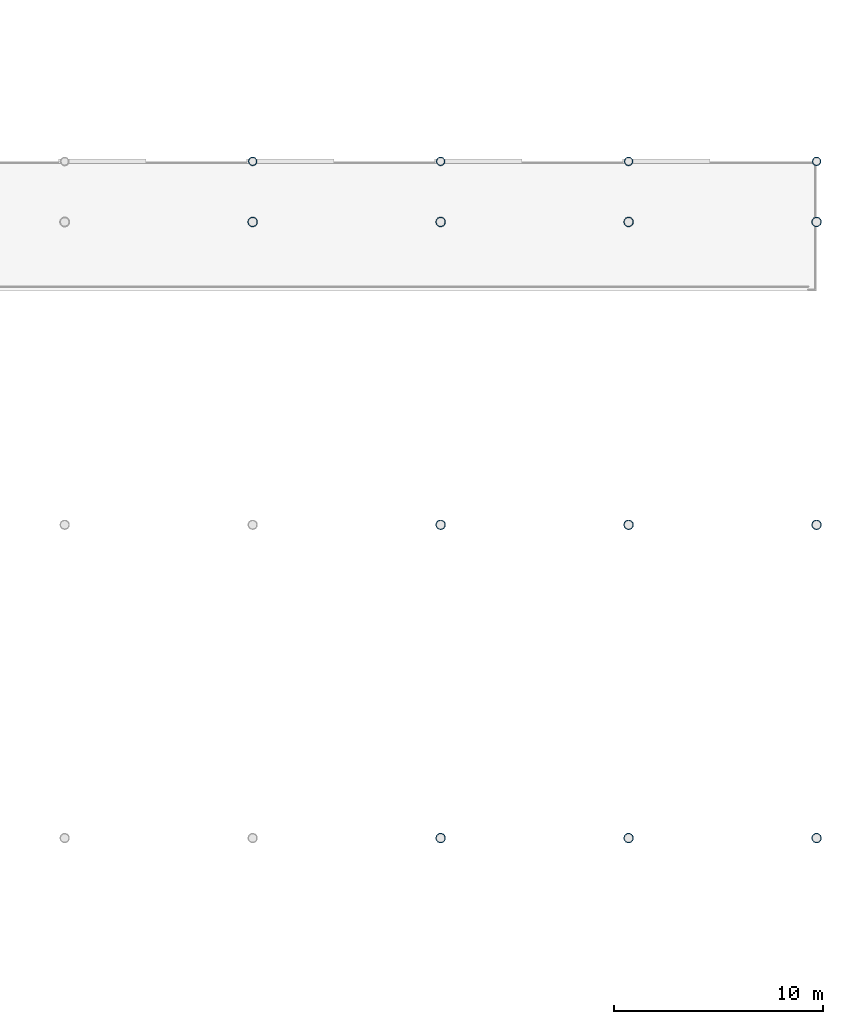
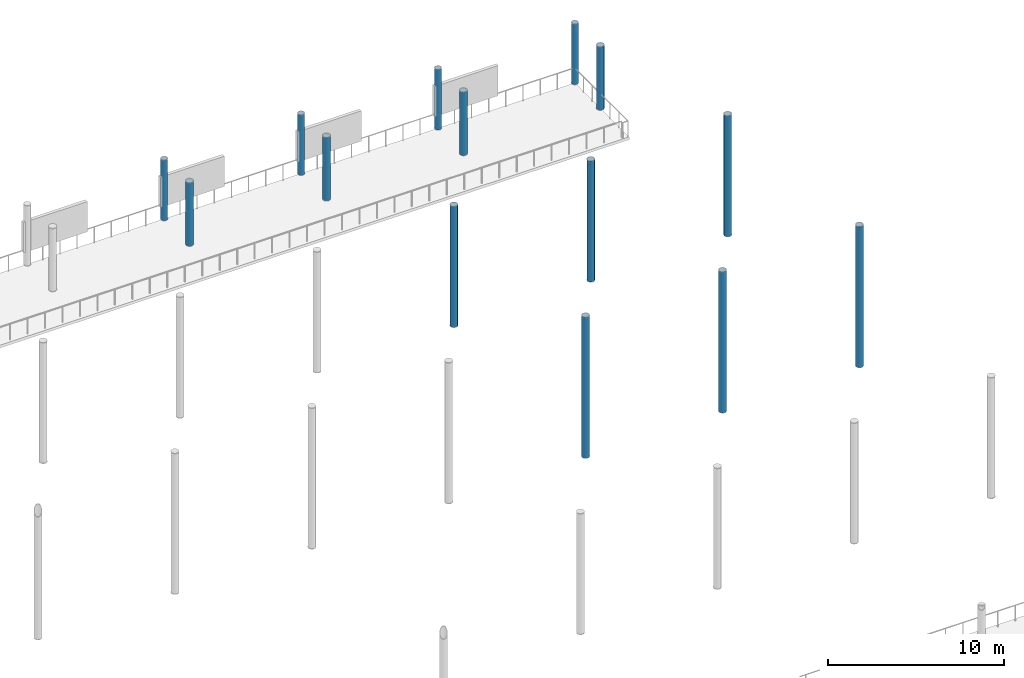
# One storey, part 24 of 143: 14 columns.
"""IFC4 building model written with IfcOpenShell, lengths in metres."""

from ifc_helpers import new_model, si_unit, direction, frame, origin, origin_2d, place, context, subcontext, project, spatial, hollow_circle, extrude, material, material_profile, profile_set, type_object, element, save


model = new_model("IFC4")

# Units and contexts
model_context = context("Model", 3, precision=1e-05, world=origin(), true_north=direction((0.0, 1.0)))
body_context = subcontext(model_context, "Body", "Model", "MODEL_VIEW")
ifc_project = project(units=[si_unit("LENGTHUNIT", "METRE"), si_unit("AREAUNIT", "SQUARE_METRE"), si_unit("VOLUMEUNIT", "CUBIC_METRE"), si_unit("PLANEANGLEUNIT", "RADIAN"), si_unit("MASSUNIT", "GRAM", prefix="KILO")], contexts=[model_context])

# Site, building, storey
site_placement = place(None, origin())
site = spatial("IfcSite", under=ifc_project, at=site_placement, CompositionType="ELEMENT")
building_placement = place(site_placement, origin())
building = spatial("IfcBuilding", under=site, at=building_placement, Name="Marlcrest Central Station", CompositionType="ELEMENT")
storey_placement = place(building_placement, frame((0.0, 0.0, 4.800048828125)))
storey = spatial("IfcBuildingStorey", under=building, at=storey_placement, Name="L01", CompositionType="ELEMENT", Elevation=4.800048828125)

# Columns
ifc_material = material(Name="Steel S355", Category="steel")
ifc_material_profile_1 = material_profile(ifc_material, hollow_circle(Radius=0.203125, WallThickness=0.02001953125, at=origin_2d()), Name="CHS 406.4x20")
ifc_profile_set_1 = profile_set([ifc_material_profile_1], Name="Steel S355")
column_type_1 = type_object("IfcColumnType", Name="SC-10", PredefinedType="COLUMN", material=ifc_profile_set_1)
for number, where, z_axis, x_axis, name in (
    (1, (189.0, 98.39990234375, 0.0), (0.0, 0.0, 1.0), (1.0, 0.0, 0.0), "col-SC-10-L01-0508"),
    (2, (198.0, 98.39990234375, 0.0), (0.0, 0.0, 1.0), (1.0, 0.0, 0.0), "col-SC-10-L01-0509"),
    (3, (207.0, 98.39990234375, 0.0), (0.0, 0.0, 1.0), (1.0, 0.0, 0.0), "col-SC-10-L01-0510"),
    (4, (216.0, 98.39990234375, 0.0), (0.0, 0.0, 1.0), (1.0, 0.0, 0.0), "col-SC-10-L01-0511"),
):
    element("IfcColumn", number, at=place(storey_placement, frame(where, z_axis=z_axis, x_axis=x_axis)), inside=storey, type_object=column_type_1, Name=name, PredefinedType="COLUMN", context=body_context, shape_type="SweptSolid", body=[
        extrude(hollow_circle(Radius=0.203125, WallThickness=0.02001953125, at=origin_2d()), origin(), (0.0, 0.0, 1.0), 4.199951171875),
    ])
ifc_material_profile_2 = material_profile(ifc_material, hollow_circle(Radius=0.228515625, WallThickness=0.02001953125, at=origin_2d()), Name="CHS 457x20")
ifc_profile_set_2 = profile_set([ifc_material_profile_2], Name="Steel S355")
column_type_2 = type_object("IfcColumnType", Name="SC-11", PredefinedType="COLUMN", material=ifc_profile_set_2)
column_1_placement = place(storey_placement, frame((189.0, 95.5, 0.0), z_axis=(0.0, 0.0, 1.0), x_axis=(1.0, 0.0, 0.0)))
element("IfcColumn", 5, at=column_1_placement, inside=storey, type_object=column_type_2, Name="col-SC-11-L01-0576", PredefinedType="COLUMN", context=body_context, shape_type="SweptSolid", body=[
    extrude(hollow_circle(Radius=0.228515625, WallThickness=0.02001953125, at=origin_2d()), origin(), (0.0, 0.0, 1.0), 4.39990234375),
])
column_2_placement = place(storey_placement, frame((198.0, 66.0, 0.0), z_axis=(0.0, 0.0, 1.0), x_axis=(1.0, 0.0, 0.0)))
element("IfcColumn", 6, at=column_2_placement, inside=storey, type_object=column_type_2, Name="col-SC-11-L01-0583", PredefinedType="COLUMN", context=body_context, shape_type="SweptSolid", body=[
    extrude(hollow_circle(Radius=0.228515625, WallThickness=0.02001953125, at=origin_2d()), origin(), (0.0, 0.0, 1.0), 9.800048828125),
])
column_3_placement = place(storey_placement, frame((198.0, 81.0, 0.0), z_axis=(0.0, 0.0, 1.0), x_axis=(1.0, 0.0, 0.0)))
element("IfcColumn", 7, at=column_3_placement, inside=storey, type_object=column_type_2, Name="col-SC-11-L01-0585", PredefinedType="COLUMN", context=body_context, shape_type="SweptSolid", body=[
    extrude(hollow_circle(Radius=0.228515625, WallThickness=0.02001953125, at=origin_2d()), origin(), (0.0, 0.0, 1.0), 8.40380859375),
])
column_4_placement = place(storey_placement, frame((198.0, 95.5, 0.0), z_axis=(0.0, 0.0, 1.0), x_axis=(1.0, 0.0, 0.0)))
element("IfcColumn", 8, at=column_4_placement, inside=storey, type_object=column_type_2, Name="col-SC-11-L01-0587", PredefinedType="COLUMN", context=body_context, shape_type="SweptSolid", body=[
    extrude(hollow_circle(Radius=0.228515625, WallThickness=0.02001953125, at=origin_2d()), origin(), (0.0, 0.0, 1.0), 4.39990234375),
])
column_5_placement = place(storey_placement, frame((207.0, 66.0, 0.0), z_axis=(0.0, 0.0, 1.0), x_axis=(1.0, 0.0, 0.0)))
element("IfcColumn", 9, at=column_5_placement, inside=storey, type_object=column_type_2, Name="col-SC-11-L01-0594", PredefinedType="COLUMN", context=body_context, shape_type="SweptSolid", body=[
    extrude(hollow_circle(Radius=0.228515625, WallThickness=0.02001953125, at=origin_2d()), origin(), (0.0, 0.0, 1.0), 9.800048828125),
])
column_6_placement = place(storey_placement, frame((207.0, 81.0, 0.0), z_axis=(0.0, 0.0, 1.0), x_axis=(1.0, 0.0, 0.0)))
element("IfcColumn", 10, at=column_6_placement, inside=storey, type_object=column_type_2, Name="col-SC-11-L01-0596", PredefinedType="COLUMN", context=body_context, shape_type="SweptSolid", body=[
    extrude(hollow_circle(Radius=0.228515625, WallThickness=0.02001953125, at=origin_2d()), origin(), (0.0, 0.0, 1.0), 8.40380859375),
])
column_7_placement = place(storey_placement, frame((207.0, 95.5, 0.0), z_axis=(0.0, 0.0, 1.0), x_axis=(1.0, 0.0, 0.0)))
element("IfcColumn", 11, at=column_7_placement, inside=storey, type_object=column_type_2, Name="col-SC-11-L01-0598", PredefinedType="COLUMN", context=body_context, shape_type="SweptSolid", body=[
    extrude(hollow_circle(Radius=0.228515625, WallThickness=0.02001953125, at=origin_2d()), origin(), (0.0, 0.0, 1.0), 4.39990234375),
])
column_8_placement = place(storey_placement, frame((216.0, 66.0, 0.0), z_axis=(0.0, 0.0, 1.0), x_axis=(1.0, 0.0, 0.0)))
element("IfcColumn", 12, at=column_8_placement, inside=storey, type_object=column_type_2, Name="col-SC-11-L01-0605", PredefinedType="COLUMN", context=body_context, shape_type="SweptSolid", body=[
    extrude(hollow_circle(Radius=0.228515625, WallThickness=0.02001953125, at=origin_2d()), origin(), (0.0, 0.0, 1.0), 9.800048828125),
])
column_9_placement = place(storey_placement, frame((216.0, 81.0, 0.0), z_axis=(0.0, 0.0, 1.0), x_axis=(1.0, 0.0, 0.0)))
element("IfcColumn", 13, at=column_9_placement, inside=storey, type_object=column_type_2, Name="col-SC-11-L01-0607", PredefinedType="COLUMN", context=body_context, shape_type="SweptSolid", body=[
    extrude(hollow_circle(Radius=0.228515625, WallThickness=0.02001953125, at=origin_2d()), origin(), (0.0, 0.0, 1.0), 8.40380859375),
])
column_10_placement = place(storey_placement, frame((216.0, 95.5, 0.0), z_axis=(0.0, 0.0, 1.0), x_axis=(1.0, 0.0, 0.0)))
element("IfcColumn", 14, at=column_10_placement, inside=storey, type_object=column_type_2, Name="col-SC-11-L01-0609", PredefinedType="COLUMN", context=body_context, shape_type="SweptSolid", body=[
    extrude(hollow_circle(Radius=0.228515625, WallThickness=0.02001953125, at=origin_2d()), origin(), (0.0, 0.0, 1.0), 4.39990234375),
])

save(model, "model.ifc")
